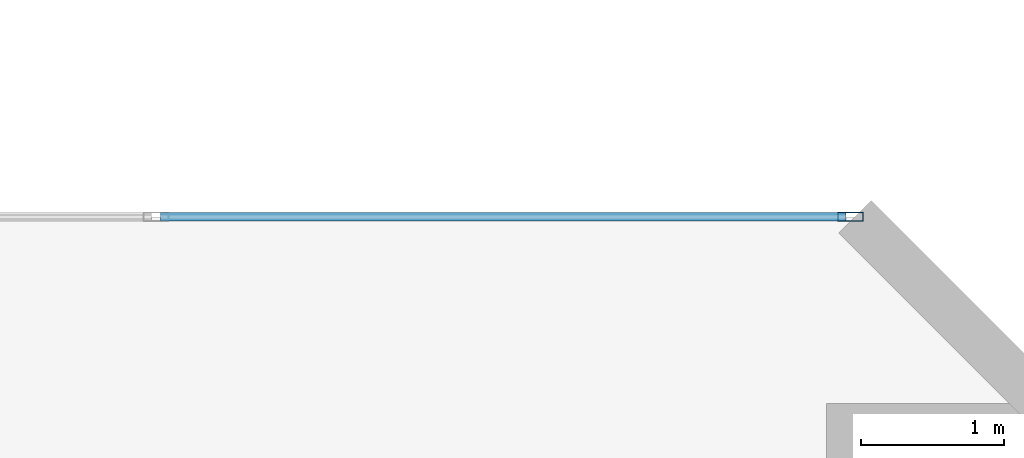
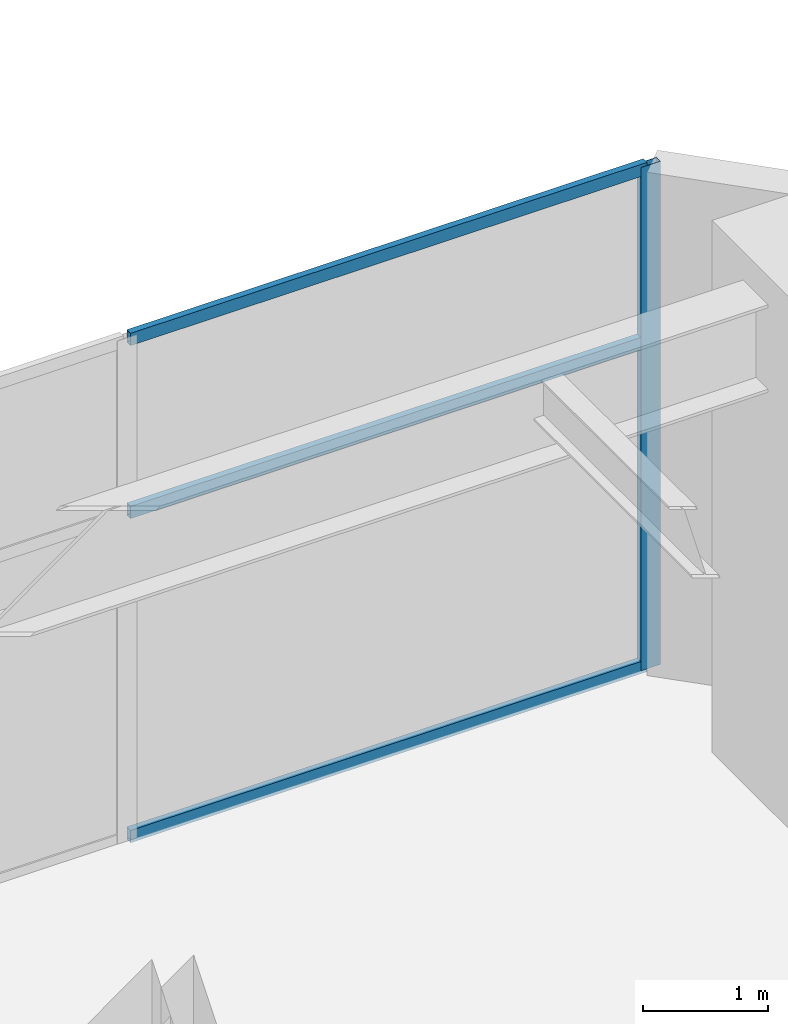
# One storey, part 18 of 29: 4 members, 1 element without a shape of its own.
"""IFC4 building model written with IfcOpenShell, lengths in metres."""

from ifc_helpers import new_model, si_unit, direction, frame, origin, origin_2d, place, context, subcontext, project, spatial, hollow_rectangle, extrude, material, layer, layer_set, material_profile, profile_set, type_object, element, aggregate, save


model = new_model("IFC4")

# Units and contexts
model_context = context("Model", 3, precision=1e-05, world=origin(), true_north=direction((0.0, 1.0)))
body_context = subcontext(model_context, "Body", "Model", "MODEL_VIEW")
ifc_project = project(units=[si_unit("LENGTHUNIT", "METRE"), si_unit("AREAUNIT", "SQUARE_METRE"), si_unit("VOLUMEUNIT", "CUBIC_METRE"), si_unit("PLANEANGLEUNIT", "RADIAN"), si_unit("MASSUNIT", "GRAM", prefix="KILO")], contexts=[model_context])

# Site, building, storey
site_placement = place(None, origin())
site = spatial("IfcSite", under=ifc_project, at=site_placement, CompositionType="ELEMENT")
building_placement = place(site_placement, origin())
building = spatial("IfcBuilding", under=site, at=building_placement, Name="Mawjaban Terraces University", CompositionType="ELEMENT")
storey_placement = place(building_placement, frame((0.0, 0.0, 15.60009765625)))
storey = spatial("IfcBuildingStorey", under=building, at=storey_placement, Name="L03", CompositionType="ELEMENT", Elevation=15.60009765625)

# Curtain wall, members
ifc_material_1 = material(Name="Anodised aluminium 6063-T6 and solar-control low-E glass", Category="aluminium")
ifc_layer = layer(ifc_material_1, 0.175048828125)
ifc_layer_set = layer_set([ifc_layer], Name="Anodised aluminium 6063-T6 and solar-control low-E glass")
curtain_wall_type = type_object("IfcCurtainWallType", Name="CWSystem_02_PodiumLibrary", PredefinedType="NOTDEFINED", material=ifc_layer_set)
curtain_wall_placement = place(storey_placement, origin())
curtain_wall = element("IfcCurtainWall", 1, at=curtain_wall_placement, inside=storey, type_object=curtain_wall_type, Name="L03 Curtain Wall CW-02 Run 5.1", PredefinedType="NOTDEFINED")
ifc_material_2 = material(Name="Anodised aluminium 6063-T6", Category="aluminium")
ifc_material_profile_1 = material_profile(ifc_material_2, hollow_rectangle(XDim=0.06494140625, YDim=0.179931640625, WallThickness=0.00390625, at=origin_2d()), Name="ALU180X65X4")
ifc_profile_set_1 = profile_set([ifc_material_profile_1], Name="Anodised aluminium 6063-T6")
member_type_1 = type_object("IfcMemberType", Name="Mullion_CW-02", PredefinedType="MULLION", material=ifc_profile_set_1)
member_1_placement = place(storey_placement, frame((73.467529296875, 32.0, 0.0), z_axis=(0.0, 0.0, 1.0), x_axis=(0.0, -1.0, 0.0)))
member_1 = element("IfcMember", 2, at=member_1_placement, type_object=member_type_1, Name="CW-02 mullion 1", PredefinedType="MULLION", context=body_context, shape_type="SweptSolid", body=[
    extrude(hollow_rectangle(XDim=0.06494140625, YDim=0.179931640625, WallThickness=0.00390625, at=origin_2d()), origin(), (0.0, 0.0, 1.0), 4.919921875),
])
ifc_material_profile_2 = material_profile(ifc_material_2, hollow_rectangle(XDim=0.06005859375, YDim=0.1201171875, WallThickness=0.00341796875, at=origin_2d()), Name="ALU120X60X3.5")
ifc_profile_set_2 = profile_set([ifc_material_profile_2], Name="Anodised aluminium 6063-T6")
member_type_2 = type_object("IfcMemberType", Name="Transom_CW-02", PredefinedType="NOTDEFINED", material=ifc_profile_set_2)
member_2_placement = place(storey_placement, frame((73.43505859375, 32.0, 0.02978515625), z_axis=(-1.0, 0.0, 0.0), x_axis=(0.0, -1.0, 0.0)))
member_2 = element("IfcMember", 3, at=member_2_placement, type_object=member_type_2, Name="CW-02 transom 1.1", ObjectType="TRANSOM", PredefinedType="USERDEFINED", context=body_context, shape_type="SweptSolid", body=[
    extrude(hollow_rectangle(XDim=0.06005859375, YDim=0.1201171875, WallThickness=0.00341796875, at=origin_2d()), origin(), (0.0, 0.0, 1.0), 4.777587890625),
])
member_3_placement = place(storey_placement, frame((73.43505859375, 32.0, 3.197998046875), z_axis=(-1.0, 0.0, 0.0), x_axis=(0.0, -1.0, 0.0)))
member_3 = element("IfcMember", 4, at=member_3_placement, type_object=member_type_2, Name="CW-02 transom 1.2", ObjectType="TRANSOM", PredefinedType="USERDEFINED", context=body_context, shape_type="SweptSolid", body=[
    extrude(hollow_rectangle(XDim=0.06005859375, YDim=0.1201171875, WallThickness=0.00341796875, at=origin_2d()), origin(), (0.0, 0.0, 1.0), 4.777587890625),
])
member_4_placement = place(storey_placement, frame((73.43505859375, 32.0, 4.889892578125), z_axis=(-1.0, 0.0, 0.0), x_axis=(0.0, -1.0, 0.0)))
member_4 = element("IfcMember", 5, at=member_4_placement, type_object=member_type_2, Name="CW-02 transom 1.3", ObjectType="TRANSOM", PredefinedType="USERDEFINED", context=body_context, shape_type="SweptSolid", body=[
    extrude(hollow_rectangle(XDim=0.06005859375, YDim=0.1201171875, WallThickness=0.00341796875, at=origin_2d()), origin(), (0.0, 0.0, 1.0), 4.777587890625),
])
aggregate(curtain_wall, [member_1, member_2, member_3, member_4])

save(model, "model.ifc")
